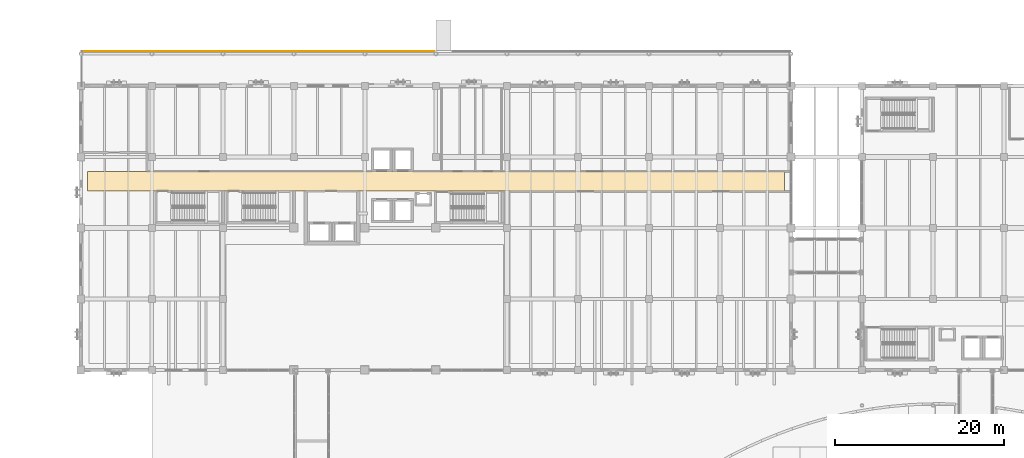
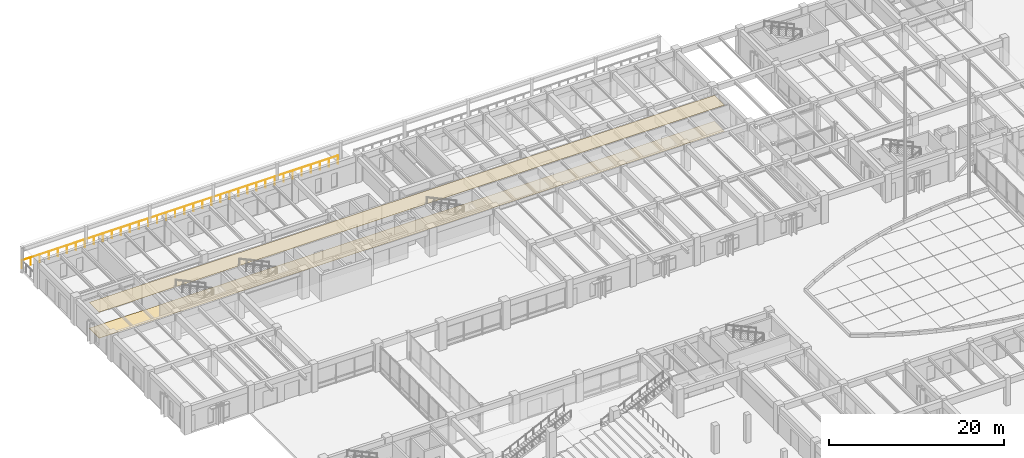
# One storey, part 117 of 135: 2 coverings, 1 railing.
"""IFC4 building model written with IfcOpenShell, lengths in metres."""

from ifc_helpers import new_model, si_unit, direction, frame, origin, origin_2d, place, context, subcontext, project, spatial, polyline, circle, outline, extrude, material, layer, layer_set, type_object, element, save


model = new_model("IFC4")

# Units and contexts
model_context = context("Model", 3, precision=1e-05, world=origin(), true_north=direction((0.0, 1.0)))
body_context = subcontext(model_context, "Body", "Model", "MODEL_VIEW")
ifc_project = project(units=[si_unit("LENGTHUNIT", "METRE"), si_unit("AREAUNIT", "SQUARE_METRE"), si_unit("VOLUMEUNIT", "CUBIC_METRE"), si_unit("PLANEANGLEUNIT", "RADIAN"), si_unit("MASSUNIT", "GRAM", prefix="KILO")], contexts=[model_context])

# Site, building, storey
site_placement = place(None, origin())
site = spatial("IfcSite", under=ifc_project, at=site_placement, CompositionType="ELEMENT")
building_placement = place(site_placement, origin())
building = spatial("IfcBuilding", under=site, at=building_placement, Name="Cumbredor Promenade Congress Hotel", CompositionType="ELEMENT")
storey_placement = place(building_placement, origin())
storey = spatial("IfcBuildingStorey", under=building, at=storey_placement, Name="L00", CompositionType="ELEMENT", Elevation=0.0)

# Coverings
ifc_material_1 = material(Name="Acoustic mineral-fiber and gypsum ceiling")
ifc_layer_1 = layer(ifc_material_1, 0.02197265625, Name="Acoustic mineral-fiber and gypsum ceiling")
ifc_layer_set_1 = layer_set([ifc_layer_1], Name="Acoustic mineral-fiber and gypsum ceiling")
covering_type_1 = type_object("IfcCoveringType", Name="Acoustic Perforated Gypsum Ceiling CLG-02 22mm", PredefinedType="CEILING", material=ifc_layer_set_1)
covering_1_placement = place(storey_placement, frame((0.0, 0.0, 3.617919921875)))
element("IfcCovering", 1, at=covering_1_placement, inside=storey, type_object=covering_type_1, Name="Hotel Ground Main Concourse Corridor Acoustic Ceiling", PredefinedType="CEILING", context=body_context, shape_type="SweptSolid", body=[
    extrude(outline(polyline([(0.780029296875, 105.179931640625), (0.780029296875, 107.469970703125), (83.219970703125, 107.469970703125), (83.219970703125, 105.179931640625), (0.780029296875, 105.179931640625)])), origin(), (0.0, 0.0, 1.0), 0.02197265625),
])
ifc_material_2 = material(Name="Porcelain stoneware tile", Category="masonry")
ifc_layer_2 = layer(ifc_material_2, 0.030029296875, Name="Porcelain stoneware tile", Category="masonry")
ifc_layer_set_2 = layer_set([ifc_layer_2], Name="Porcelain stoneware tile")
covering_type_2 = type_object("IfcCoveringType", Name="Porcelain Stoneware Flooring FLR-03 30mm", PredefinedType="FLOORING", material=ifc_layer_set_2)
covering_2_placement = place(storey_placement, origin())
element("IfcCovering", 2, at=covering_2_placement, inside=storey, type_object=covering_type_2, Name="Hotel Ground Main Concourse Corridor Porcelain Flooring", PredefinedType="FLOORING", context=body_context, shape_type="SweptSolid", body=[
    extrude(outline(polyline([(0.780029296875, 105.179931640625), (0.780029296875, 107.469970703125), (83.219970703125, 107.469970703125), (83.219970703125, 105.179931640625), (0.780029296875, 105.179931640625)])), origin(), (0.0, 0.0, 1.0), 0.030029296875),
])

# Railing
ifc_material_3 = material(Name="Brushed stainless steel", Category="steel")
railing_type = type_object("IfcRailingType", Name="Terrace Perimeter Balustrade BAL-1120", PredefinedType="BALUSTRADE", material=ifc_material_3)
railing_placement = place(storey_placement, frame((0.10009765625, 121.699951171875, 0.0)))
element("IfcRailing", 3, at=railing_placement, inside=storey, type_object=railing_type, Name="L00 Promenade Terrace Balustrade 11", PredefinedType="BALUSTRADE", context=body_context, shape_type="SweptSolid", body=[
    extrude(circle(Radius=0.02392578125, at=origin_2d()), frame((0.0, 0.0, 1.09619140625), z_axis=(1.0, 0.0, 0.0), x_axis=(0.0, 1.0, 0.0)), (0.0, 0.0, 1.0), 41.699951171875),
    extrude(circle(Radius=0.02099609375, at=origin_2d()), origin(), (0.0, 0.0, 1.0), 1.072021484375),
    extrude(circle(Radius=0.02099609375, at=origin_2d()), frame((1.19140625, 0.0, 0.0)), (0.0, 0.0, 1.0), 1.072021484375),
    extrude(circle(Radius=0.02099609375, at=origin_2d()), frame((2.3828125, 0.0, 0.0)), (0.0, 0.0, 1.0), 1.072021484375),
    extrude(circle(Radius=0.02099609375, at=origin_2d()), frame((3.57421875, 0.0, 0.0)), (0.0, 0.0, 1.0), 1.072021484375),
    extrude(circle(Radius=0.02099609375, at=origin_2d()), frame((4.765625, 0.0, 0.0)), (0.0, 0.0, 1.0), 1.072021484375),
    extrude(circle(Radius=0.02099609375, at=origin_2d()), frame((5.95703125, 0.0, 0.0)), (0.0, 0.0, 1.0), 1.072021484375),
    extrude(circle(Radius=0.02099609375, at=origin_2d()), frame((7.148681640625, 0.0, 0.0)), (0.0, 0.0, 1.0), 1.072021484375),
    extrude(circle(Radius=0.02099609375, at=origin_2d()), frame((8.340087890625, 0.0, 0.0)), (0.0, 0.0, 1.0), 1.072021484375),
    extrude(circle(Radius=0.02099609375, at=origin_2d()), frame((9.531494140625, 0.0, 0.0)), (0.0, 0.0, 1.0), 1.072021484375),
    extrude(circle(Radius=0.02099609375, at=origin_2d()), frame((10.722900390625, 0.0, 0.0)), (0.0, 0.0, 1.0), 1.072021484375),
    extrude(circle(Radius=0.02099609375, at=origin_2d()), frame((11.914306640625, 0.0, 0.0)), (0.0, 0.0, 1.0), 1.072021484375),
    extrude(circle(Radius=0.02099609375, at=origin_2d()), frame((13.105712890625, 0.0, 0.0)), (0.0, 0.0, 1.0), 1.072021484375),
    extrude(circle(Radius=0.02099609375, at=origin_2d()), frame((14.297119140625, 0.0, 0.0)), (0.0, 0.0, 1.0), 1.072021484375),
    extrude(circle(Radius=0.02099609375, at=origin_2d()), frame((15.488525390625, 0.0, 0.0)), (0.0, 0.0, 1.0), 1.072021484375),
    extrude(circle(Radius=0.02099609375, at=origin_2d()), frame((16.679931640625, 0.0, 0.0)), (0.0, 0.0, 1.0), 1.072021484375),
    extrude(circle(Radius=0.02099609375, at=origin_2d()), frame((17.871337890625, 0.0, 0.0)), (0.0, 0.0, 1.0), 1.072021484375),
    extrude(circle(Radius=0.02099609375, at=origin_2d()), frame((19.062744140625, 0.0, 0.0)), (0.0, 0.0, 1.0), 1.072021484375),
    extrude(circle(Radius=0.02099609375, at=origin_2d()), frame((20.254150390625, 0.0, 0.0)), (0.0, 0.0, 1.0), 1.072021484375),
    extrude(circle(Radius=0.02099609375, at=origin_2d()), frame((21.44580078125, 0.0, 0.0)), (0.0, 0.0, 1.0), 1.072021484375),
    extrude(circle(Radius=0.02099609375, at=origin_2d()), frame((22.63720703125, 0.0, 0.0)), (0.0, 0.0, 1.0), 1.072021484375),
    extrude(circle(Radius=0.02099609375, at=origin_2d()), frame((23.82861328125, 0.0, 0.0)), (0.0, 0.0, 1.0), 1.072021484375),
    extrude(circle(Radius=0.02099609375, at=origin_2d()), frame((25.02001953125, 0.0, 0.0)), (0.0, 0.0, 1.0), 1.072021484375),
    extrude(circle(Radius=0.02099609375, at=origin_2d()), frame((26.21142578125, 0.0, 0.0)), (0.0, 0.0, 1.0), 1.072021484375),
    extrude(circle(Radius=0.02099609375, at=origin_2d()), frame((27.40283203125, 0.0, 0.0)), (0.0, 0.0, 1.0), 1.072021484375),
    extrude(circle(Radius=0.02099609375, at=origin_2d()), frame((28.59423828125, 0.0, 0.0)), (0.0, 0.0, 1.0), 1.072021484375),
    extrude(circle(Radius=0.02099609375, at=origin_2d()), frame((29.78564453125, 0.0, 0.0)), (0.0, 0.0, 1.0), 1.072021484375),
    extrude(circle(Radius=0.02099609375, at=origin_2d()), frame((30.97705078125, 0.0, 0.0)), (0.0, 0.0, 1.0), 1.072021484375),
    extrude(circle(Radius=0.02099609375, at=origin_2d()), frame((32.16845703125, 0.0, 0.0)), (0.0, 0.0, 1.0), 1.072021484375),
    extrude(circle(Radius=0.02099609375, at=origin_2d()), frame((33.35986328125, 0.0, 0.0)), (0.0, 0.0, 1.0), 1.072021484375),
    extrude(circle(Radius=0.02099609375, at=origin_2d()), frame((34.55126953125, 0.0, 0.0)), (0.0, 0.0, 1.0), 1.072021484375),
    extrude(circle(Radius=0.02099609375, at=origin_2d()), frame((35.742919921875, 0.0, 0.0)), (0.0, 0.0, 1.0), 1.072021484375),
    extrude(circle(Radius=0.02099609375, at=origin_2d()), frame((36.934326171875, 0.0, 0.0)), (0.0, 0.0, 1.0), 1.072021484375),
    extrude(circle(Radius=0.02099609375, at=origin_2d()), frame((38.125732421875, 0.0, 0.0)), (0.0, 0.0, 1.0), 1.072021484375),
    extrude(circle(Radius=0.02099609375, at=origin_2d()), frame((39.317138671875, 0.0, 0.0)), (0.0, 0.0, 1.0), 1.072021484375),
    extrude(circle(Radius=0.02099609375, at=origin_2d()), frame((40.508544921875, 0.0, 0.0)), (0.0, 0.0, 1.0), 1.072021484375),
    extrude(circle(Radius=0.02099609375, at=origin_2d()), frame((41.699951171875, 0.0, 0.0)), (0.0, 0.0, 1.0), 1.072021484375),
])

save(model, "model.ifc")
